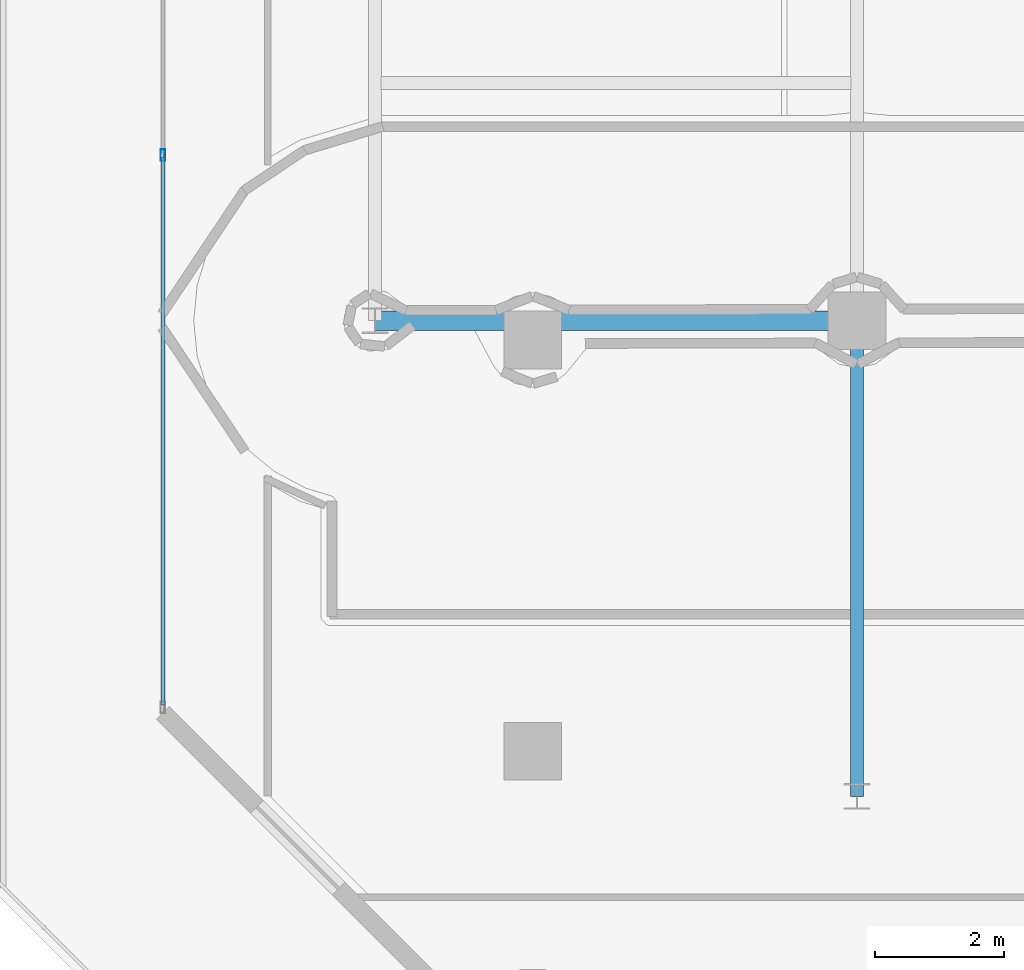
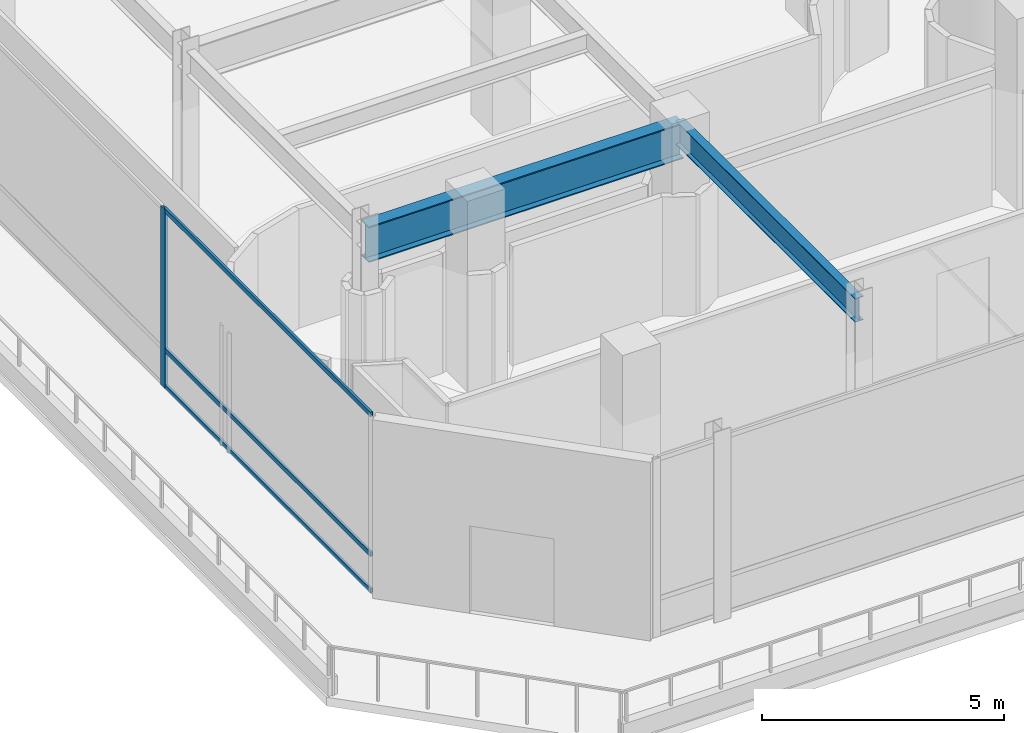
# One storey, part 6 of 39: 4 members, 2 beams, 1 element without a shape of its own.
"""IFC4 building model written with IfcOpenShell, lengths in metres."""

from ifc_helpers import new_model, si_unit, direction, frame, origin, origin_2d, place, context, subcontext, project, spatial, hollow_rectangle, i_section, extrude, material, layer, layer_set, material_profile, profile_set, type_object, element, aggregate, save


model = new_model("IFC4")

# Units and contexts
model_context = context("Model", 3, precision=1e-05, world=origin(), true_north=direction((0.0, 1.0)))
body_context = subcontext(model_context, "Body", "Model", "MODEL_VIEW")
ifc_project = project(units=[si_unit("LENGTHUNIT", "METRE"), si_unit("AREAUNIT", "SQUARE_METRE"), si_unit("VOLUMEUNIT", "CUBIC_METRE"), si_unit("PLANEANGLEUNIT", "RADIAN"), si_unit("MASSUNIT", "GRAM", prefix="KILO")], contexts=[model_context])

# Site, building, storey
site_placement = place(None, origin())
site = spatial("IfcSite", under=ifc_project, at=site_placement, CompositionType="ELEMENT")
building_placement = place(site_placement, origin())
building = spatial("IfcBuilding", under=site, at=building_placement, Name="Qianvela Tower", CompositionType="ELEMENT")
storey_placement = place(building_placement, frame((0.0, 0.0, 15.800048828125)))
storey = spatial("IfcBuildingStorey", under=building, at=storey_placement, Name="L03", CompositionType="ELEMENT", Elevation=15.800048828125)

# Beams
ifc_material_1 = material(Name="Steel Q355B", Category="steel")
ifc_material_profile_1 = material_profile(ifc_material_1, i_section(OverallWidth=0.199951171875, OverallDepth=0.60009765625, WebThickness=0.010986328125, FlangeThickness=0.01708984375, at=origin_2d()), Name="HN600x200x11x17")
ifc_profile_set_1 = profile_set([ifc_material_profile_1], Name="Steel Q355B")
beam_type_1 = type_object("IfcBeamType", Name="BM-HN600-GIRD", PredefinedType="BEAM", material=ifc_profile_set_1)
beam_1_placement = place(storey_placement, frame((15.0, 7.39990234375, 4.197998046875), z_axis=(0.0, 1.0, 0.0), x_axis=(-1.0, 0.0, 0.0)))
element("IfcBeam", 1, at=beam_1_placement, inside=storey, type_object=beam_type_1, Name="L03 North-South Grid Girder 19", PredefinedType="BEAM", context=body_context, shape_type="SweptSolid", body=[
    extrude(i_section(OverallWidth=0.199951171875, OverallDepth=0.60009765625, WebThickness=0.010986328125, FlangeThickness=0.01708984375, at=origin_2d()), origin(), (0.0, 0.0, 1.0), 7.400146484375),
])
ifc_material_2 = material(Name="Steel Q355B", Category="steel")
ifc_material_profile_2 = material_profile(ifc_material_2, i_section(OverallWidth=0.300048828125, OverallDepth=0.89990234375, WebThickness=0.01611328125, FlangeThickness=0.028076171875, at=origin_2d()), Name="HN900x300x16x28")
ifc_profile_set_2 = profile_set([ifc_material_profile_2], Name="Steel Q355B")
beam_type_2 = type_object("IfcBeamType", Name="BM-HN900-SPAND", PredefinedType="SPANDREL", material=ifc_profile_set_2)
beam_2_placement = place(storey_placement, frame((7.5, 14.800048828125, 4.0478515625), z_axis=(1.0, 0.0, 0.0), x_axis=(0.0, 1.0, 0.0)))
element("IfcBeam", 2, at=beam_2_placement, inside=storey, type_object=beam_type_2, Name="L03 East-West Grid Girder 1", PredefinedType="SPANDREL", context=body_context, shape_type="SweptSolid", body=[
    extrude(i_section(OverallWidth=0.300048828125, OverallDepth=0.89990234375, WebThickness=0.01611328125, FlangeThickness=0.028076171875, at=origin_2d()), origin(), (0.0, 0.0, 1.0), 7.5),
])

# Curtain wall, members
ifc_material_3 = material(Name="Anodised Architectural Aluminium and Low-E Glass", Category="aluminium")
ifc_layer = layer(ifc_material_3, 0.179931640625)
ifc_layer_set = layer_set([ifc_layer], Name="Anodised Architectural Aluminium and Low-E Glass")
curtain_wall_type = type_object("IfcCurtainWallType", Name="CW-COMMONS", PredefinedType="USERDEFINED", material=ifc_layer_set)
curtain_wall_placement = place(storey_placement, origin())
curtain_wall = element("IfcCurtainWall", 3, at=curtain_wall_placement, inside=storey, type_object=curtain_wall_type, Name="L03 CW-COMMONS Curtain Wall 07", ObjectType="CURTAIN_WALL_SYSTEM", PredefinedType="USERDEFINED")
ifc_material_4 = material(Name="Anodised Architectural Aluminium 6063-T6", Category="aluminium")
ifc_material_profile_3 = material_profile(ifc_material_4, hollow_rectangle(XDim=0.070068359375, YDim=0.179931640625, WallThickness=0.0048828125, at=origin_2d()), Name="ALU-MULL-70x180")
ifc_profile_set_3 = profile_set([ifc_material_profile_3], Name="Anodised Architectural Aluminium 6063-T6")
member_type_1 = type_object("IfcMemberType", Name="CW-COMMONS-MULL", PredefinedType="MULLION", material=ifc_profile_set_3)
member_1_placement = place(storey_placement, frame((4.199951171875, 17.375, 0.0), z_axis=(0.0, 0.0, 1.0), x_axis=(1.0, 0.0, 0.0)))
member_1 = element("IfcMember", 4, at=member_1_placement, type_object=member_type_1, Name="CW-2 mullion 4", PredefinedType="MULLION", context=body_context, shape_type="SweptSolid", body=[
    extrude(hollow_rectangle(XDim=0.070068359375, YDim=0.179931640625, WallThickness=0.0048828125, at=origin_2d()), origin(), (0.0, 0.0, 1.0), 4.5),
])
ifc_material_5 = material(Name="Anodised Architectural Aluminium 6063-T6", Category="aluminium")
ifc_material_profile_4 = material_profile(ifc_material_5, hollow_rectangle(XDim=0.06005859375, YDim=0.114990234375, WallThickness=0.00390625, at=origin_2d()), Name="ALU-TRAN-60x115")
ifc_profile_set_4 = profile_set([ifc_material_profile_4], Name="Anodised Architectural Aluminium 6063-T6")
member_type_2 = type_object("IfcMemberType", Name="CW-COMMONS-TRAN", PredefinedType="USERDEFINED", material=ifc_profile_set_4)
member_2_placement = place(storey_placement, frame((4.199951171875, 17.340087890625, 0.030029296875), z_axis=(0.0, -1.0, 0.0), x_axis=(1.0, 0.0, 0.0)))
member_2 = element("IfcMember", 5, at=member_2_placement, type_object=member_type_2, Name="CW-2 transom 4.1", ObjectType="TRANSOM", PredefinedType="USERDEFINED", context=body_context, shape_type="SweptSolid", body=[
    extrude(hollow_rectangle(XDim=0.06005859375, YDim=0.114990234375, WallThickness=0.00390625, at=origin_2d()), origin(), (0.0, 0.0, 1.0), 8.52001953125),
])
member_3_placement = place(storey_placement, frame((4.199951171875, 17.340087890625, 0.949951171875), z_axis=(0.0, -1.0, 0.0), x_axis=(1.0, 0.0, 0.0)))
member_3 = element("IfcMember", 6, at=member_3_placement, type_object=member_type_2, Name="CW-2 transom 4.2", ObjectType="TRANSOM", PredefinedType="USERDEFINED", context=body_context, shape_type="SweptSolid", body=[
    extrude(hollow_rectangle(XDim=0.06005859375, YDim=0.114990234375, WallThickness=0.00390625, at=origin_2d()), origin(), (0.0, 0.0, 1.0), 8.52001953125),
])
member_4_placement = place(storey_placement, frame((4.199951171875, 17.340087890625, 4.469970703125), z_axis=(0.0, -1.0, 0.0), x_axis=(1.0, 0.0, 0.0)))
member_4 = element("IfcMember", 7, at=member_4_placement, type_object=member_type_2, Name="CW-2 transom 4.3", ObjectType="TRANSOM", PredefinedType="USERDEFINED", context=body_context, shape_type="SweptSolid", body=[
    extrude(hollow_rectangle(XDim=0.06005859375, YDim=0.114990234375, WallThickness=0.00390625, at=origin_2d()), origin(), (0.0, 0.0, 1.0), 8.52001953125),
])
aggregate(curtain_wall, [member_1, member_2, member_3, member_4])

save(model, "model.ifc")
